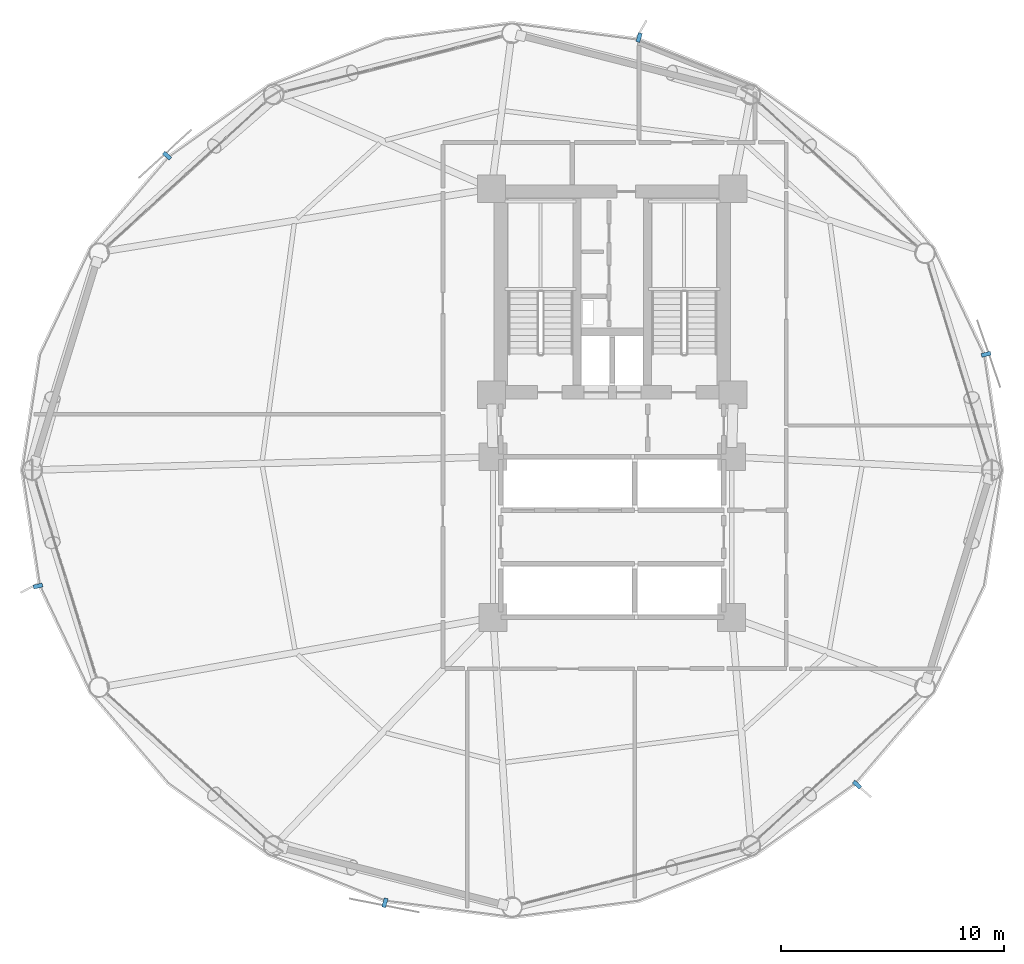
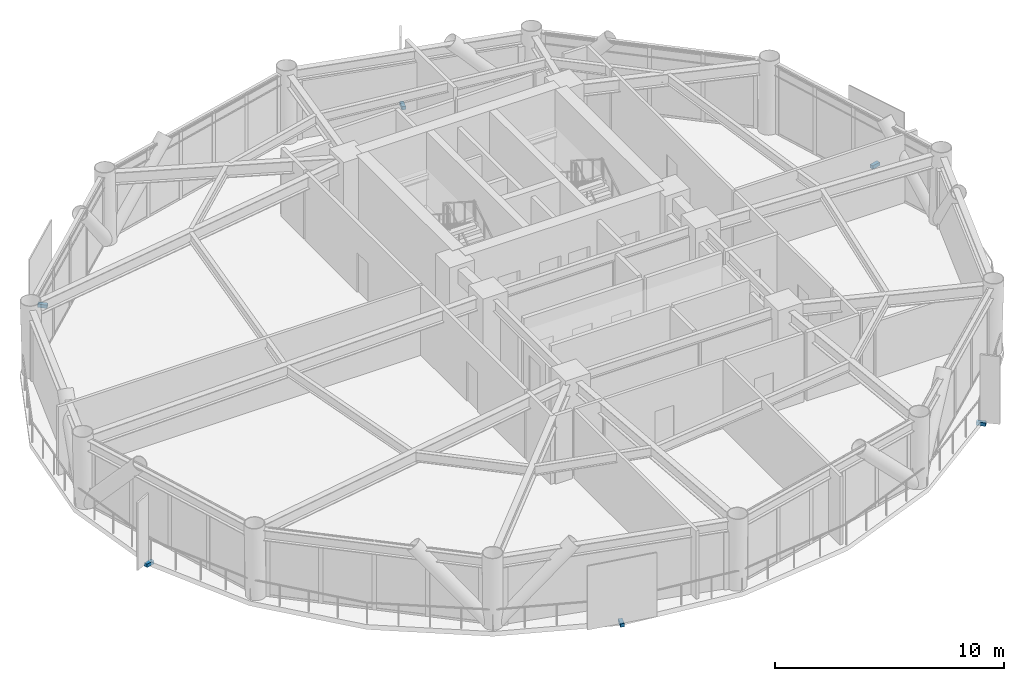
# One storey, part 22 of 25: 6 discrete accessories.
"""IFC4 building model written with IfcOpenShell, lengths in metres."""

from ifc_helpers import new_model, si_unit, direction, frame, origin, origin_2d, place, context, subcontext, project, spatial, rectangle, extrude, source, transform, mapped, material, type_object, type_shapes, element, save


model = new_model("IFC4")

# Units and contexts
model_context = context("Model", 3, precision=1e-05, world=origin(), true_north=direction((0.0, 1.0)))
body_context = subcontext(model_context, "Body", "Model", "MODEL_VIEW")
ifc_project = project(units=[si_unit("LENGTHUNIT", "METRE"), si_unit("AREAUNIT", "SQUARE_METRE"), si_unit("VOLUMEUNIT", "CUBIC_METRE"), si_unit("PLANEANGLEUNIT", "RADIAN"), si_unit("MASSUNIT", "GRAM", prefix="KILO")], contexts=[model_context])

# Site, building, storey
site_placement = place(None, origin())
site = spatial("IfcSite", under=ifc_project, at=site_placement, CompositionType="ELEMENT")
building_placement = place(site_placement, origin())
building = spatial("IfcBuilding", under=site, at=building_placement, Name="Varnakorn Sky Granary", CompositionType="ELEMENT")
storey_placement = place(building_placement, frame((0.0, 0.0, 62.699951171875)))
storey = spatial("IfcBuildingStorey", under=building, at=storey_placement, Name="L15", CompositionType="ELEMENT", Elevation=62.699951171875)

# Discrete accessories
ifc_material = material(Name="Steel S355JR", Category="steel")
discrete_accessory_type = type_object("IfcDiscreteAccessoryType", Name="AC-BRK-01", PredefinedType="BRACKET", material=ifc_material)
shared_shape = source(origin(), body_context, "Body", "SweptSolid", [
    extrude(rectangle(XDim=0.179931640625, YDim=0.419921875, at=origin_2d()), origin(), (0.0, 0.0, 1.0), 0.179931640625),
])
type_shapes(discrete_accessory_type, [shared_shape])
for number, where, z_axis, x_axis, name in (
    (1, (19.76171875, 5.196533203125, -0.19970703125), (0.0, 0.0, 1.0), (-0.23742264921, 0.97140644719, 0.0), "Facade Solar-Screen Outrigger Bracket L15-01"),
    (2, (4.19970703125, 19.402587890625, -0.19970703125), (0.0, 0.0, 1.0), (-0.959460026385, 0.281844740539, 0.0), "Facade Solar-Screen Outrigger Bracket L15-03"),
    (3, (-16.972412109375, 14.104736328125, -0.19970703125), (0.0, 0.0, 1.0), (-0.673690744964, -0.73901338293, 0.0), "Facade Solar-Screen Outrigger Bracket L15-05"),
    (4, (-22.76171875, -5.196533203125, -0.19970703125), (0.0, 0.0, 1.0), (0.23742264921, -0.97140644719, 0.0), "Facade Solar-Screen Outrigger Bracket L15-07"),
    (5, (-7.19970703125, -19.402587890625, -0.19970703125), (0.0, 0.0, 1.0), (0.959460026385, -0.281844740539, 0.0), "Facade Solar-Screen Outrigger Bracket L15-09"),
    (6, (13.972412109375, -14.104736328125, -0.19970703125), (0.0, 0.0, 1.0), (0.673690744964, 0.73901338293, 0.0), "Facade Solar-Screen Outrigger Bracket L15-11"),
):
    element("IfcDiscreteAccessory", number, at=place(storey_placement, frame(where, z_axis=z_axis, x_axis=x_axis)), inside=storey, type_object=discrete_accessory_type, Name=name, PredefinedType="BRACKET", context=body_context, shape_type="MappedRepresentation", body=[
        mapped(shared_shape, transform((0.0, 0.0, 0.0), x_axis=(1.0, 0.0, 0.0), y_axis=(0.0, 1.0, 0.0), z_axis=(0.0, 0.0, 1.0), scale=1.0)),
    ])

save(model, "model.ifc")
